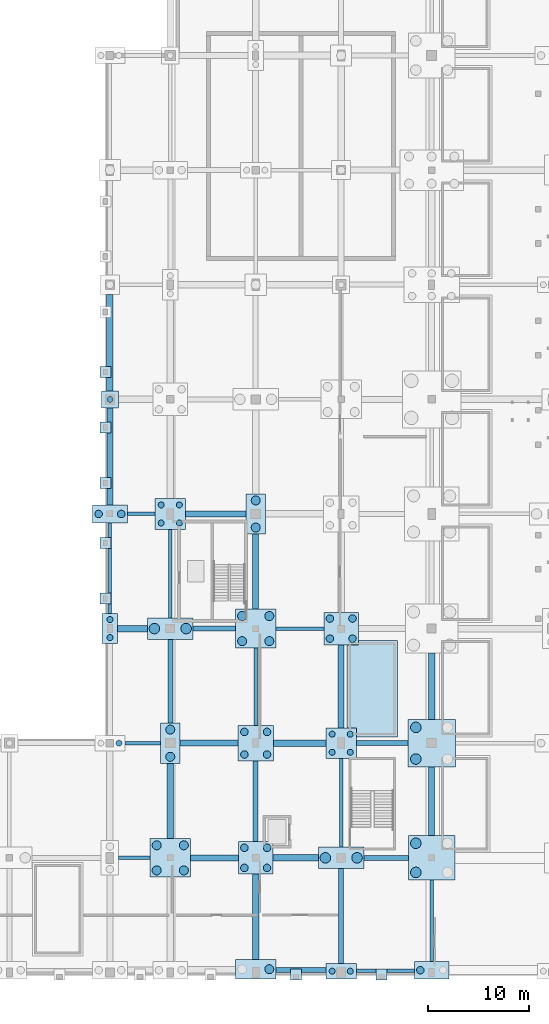
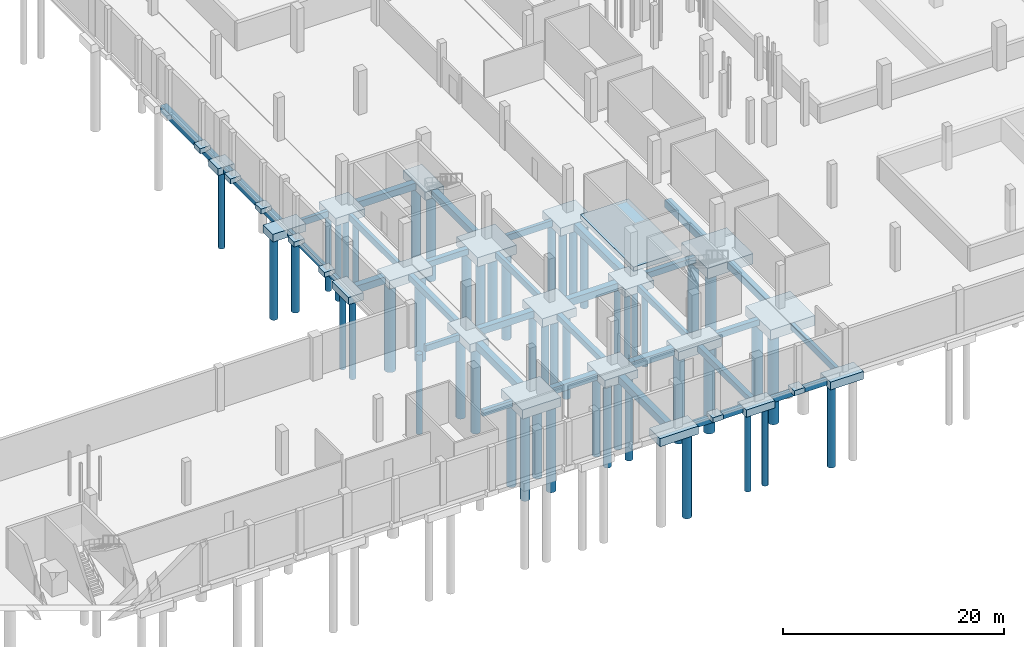
# One storey, part 4 of 34: 58 footings, 50 piles.
"""IFC4 building model written with IfcOpenShell, lengths in metres."""

from ifc_helpers import new_model, si_unit, direction, frame, origin, origin_2d, place, context, subcontext, project, spatial, rectangle, circle, extrude, material, material_profile, profile_set, type_object, element, save


model = new_model("IFC4")

# Units and contexts
model_context = context("Model", 3, precision=1e-05, world=origin(), true_north=direction((0.0, 1.0)))
body_context = subcontext(model_context, "Body", "Model", "MODEL_VIEW")
ifc_project = project(units=[si_unit("LENGTHUNIT", "METRE"), si_unit("AREAUNIT", "SQUARE_METRE"), si_unit("VOLUMEUNIT", "CUBIC_METRE"), si_unit("PLANEANGLEUNIT", "RADIAN"), si_unit("MASSUNIT", "GRAM", prefix="KILO"), si_unit("POWERUNIT", "WATT"), si_unit("THERMODYNAMICTEMPERATUREUNIT", "KELVIN")], contexts=[model_context])

# Site, building, storey
site_placement = place(None, origin())
site = spatial("IfcSite", under=ifc_project, at=site_placement, CompositionType="ELEMENT")
building_placement = place(site_placement, origin())
building = spatial("IfcBuilding", under=site, at=building_placement, Name="Kelmbourne Parkland Aquatics Centre", CompositionType="ELEMENT")
storey_placement = place(building_placement, frame((0.0, 0.0, -4.800048828125)))
storey = spatial("IfcBuildingStorey", under=building, at=storey_placement, Name="B1", CompositionType="ELEMENT", Elevation=-4.800048828125)

# Footings
ifc_material = material(Name="Waterproof concrete C50/60", Category="concrete")
footing_type_1 = type_object("IfcFootingType", Name="FT-FB1", PredefinedType="FOOTING_BEAM", material=ifc_material)
footing_1_placement = place(storey_placement, frame((115.0, 1.02490234375, -1.099853515625), z_axis=(0.0, 0.0, 1.0), x_axis=(1.0, 0.0, 0.0)))
element("IfcFooting", 1, at=footing_1_placement, inside=storey, type_object=footing_type_1, Name="Ground tie beam N-O on Grid 01", PredefinedType="FOOTING_BEAM", context=body_context, shape_type="SweptSolid", body=[
    extrude(rectangle(XDim=5.0, YDim=0.5, at=origin_2d()), origin(), (0.0, 0.0, 1.0), 0.64990234375),
])
footing_2_placement = place(storey_placement, frame((123.46240234375, 12.199951171875, -1.099853515625), z_axis=(0.0, 0.0, 1.0), x_axis=(1.0, 0.0, 0.0)))
element("IfcFooting", 2, at=footing_2_placement, inside=storey, type_object=footing_type_1, Name="Ground tie beam O-P on Grid 03", PredefinedType="FOOTING_BEAM", context=body_context, shape_type="SweptSolid", body=[
    extrude(rectangle(XDim=4.425048828125, YDim=0.5, at=origin_2d()), origin(), (0.0, 0.0, 1.0), 0.64990234375),
])
footing_3_placement = place(storey_placement, frame((123.074951171875, 23.60009765625, -1.099853515625), z_axis=(0.0, 0.0, 1.0), x_axis=(1.0, 0.0, 0.0)))
element("IfcFooting", 3, at=footing_3_placement, inside=storey, type_object=footing_type_1, Name="Ground tie beam O-P on Grid 04", PredefinedType="FOOTING_BEAM", context=body_context, shape_type="SweptSolid", body=[
    extrude(rectangle(XDim=5.10009765625, YDim=0.5, at=origin_2d()), origin(), (0.0, 0.0, 1.0), 0.64990234375),
])
footing_4_placement = place(storey_placement, frame((106.362548828125, 35.0, -1.099853515625), z_axis=(0.0, 0.0, 1.0), x_axis=(1.0, 0.0, 0.0)))
element("IfcFooting", 4, at=footing_4_placement, inside=storey, type_object=footing_type_1, Name="Ground tie beam M-N on Grid 05", PredefinedType="FOOTING_BEAM", context=body_context, shape_type="SweptSolid", body=[
    extrude(rectangle(XDim=4.22509765625, YDim=0.5, at=origin_2d()), origin(), (0.0, 0.0, 1.0), 0.64990234375),
])
footing_5_placement = place(storey_placement, frame((102.0, 29.762451171875, -1.099853515625), z_axis=(0.0, 0.0, 1.0), x_axis=(0.0, 1.0, 0.0)))
element("IfcFooting", 5, at=footing_5_placement, inside=storey, type_object=footing_type_1, Name="Ground tie beam 04-05 on Grid M", PredefinedType="FOOTING_BEAM", context=body_context, shape_type="SweptSolid", body=[
    extrude(rectangle(XDim=8.324951171875, YDim=0.5, at=origin_2d()), origin(), (0.0, 0.0, 1.0), 0.64990234375),
])
footing_6_placement = place(storey_placement, frame((110.5, 17.824951171875, -1.099853515625), z_axis=(0.0, 0.0, 1.0), x_axis=(0.0, 1.0, 0.0)))
element("IfcFooting", 6, at=footing_6_placement, inside=storey, type_object=footing_type_1, Name="Ground tie beam 03-04 on Grid N", PredefinedType="FOOTING_BEAM", context=body_context, shape_type="SweptSolid", body=[
    extrude(rectangle(XDim=8.0, YDim=0.5, at=origin_2d()), origin(), (0.0, 0.0, 1.0), 0.64990234375),
])
footing_7_placement = place(storey_placement, frame((119.0, 6.41259765625, -1.099853515625), z_axis=(0.0, 0.0, 1.0), x_axis=(0.0, 1.0, 0.0)))
element("IfcFooting", 7, at=footing_7_placement, inside=storey, type_object=footing_type_1, Name="Ground tie beam 01-03 on Grid O", PredefinedType="FOOTING_BEAM", context=body_context, shape_type="SweptSolid", body=[
    extrude(rectangle(XDim=9.425048828125, YDim=0.5, at=origin_2d()), origin(), (0.0, 0.0, 1.0), 0.64990234375),
])
footing_type_2 = type_object("IfcFootingType", Name="FT-FB2", PredefinedType="FOOTING_BEAM", material=ifc_material)
footing_8_placement = place(storey_placement, frame((123.387451171875, 0.97509765625, -1.14990234375), z_axis=(0.0, 0.0, 1.0), x_axis=(1.0, 0.0, 0.0)))
element("IfcFooting", 8, at=footing_8_placement, inside=storey, type_object=footing_type_2, Name="Ground tie beam O-P on Grid 01", PredefinedType="FOOTING_BEAM", context=body_context, shape_type="SweptSolid", body=[
    extrude(rectangle(XDim=5.77490234375, YDim=0.35009765625, at=origin_2d()), origin(), (0.0, 0.0, 1.0), 0.699951171875),
])
footing_9_placement = place(storey_placement, frame((98.425048828125, 12.199951171875, -1.14990234375), z_axis=(0.0, 0.0, 1.0), x_axis=(1.0, 0.0, 0.0)))
element("IfcFooting", 9, at=footing_9_placement, inside=storey, type_object=footing_type_2, Name="Ground tie beam L-M on Grid 03", PredefinedType="FOOTING_BEAM", context=body_context, shape_type="SweptSolid", body=[
    extrude(rectangle(XDim=3.10009765625, YDim=0.35009765625, at=origin_2d()), origin(), (0.0, 0.0, 1.0), 0.699951171875),
])
footing_10_placement = place(storey_placement, frame((99.262451171875, 23.60009765625, -1.14990234375), z_axis=(0.0, 0.0, 1.0), x_axis=(1.0, 0.0, 0.0)))
element("IfcFooting", 10, at=footing_10_placement, inside=storey, type_object=footing_type_2, Name="Ground tie beam L-M on Grid 04", PredefinedType="FOOTING_BEAM", context=body_context, shape_type="SweptSolid", body=[
    extrude(rectangle(XDim=3.52490234375, YDim=0.35009765625, at=origin_2d()), origin(), (0.0, 0.0, 1.0), 0.699951171875),
])
footing_11_placement = place(storey_placement, frame((114.89990234375, 35.0, -1.14990234375), z_axis=(0.0, 0.0, 1.0), x_axis=(1.0, 0.0, 0.0)))
element("IfcFooting", 11, at=footing_11_placement, inside=storey, type_object=footing_type_2, Name="Ground tie beam N-O on Grid 05", PredefinedType="FOOTING_BEAM", context=body_context, shape_type="SweptSolid", body=[
    extrude(rectangle(XDim=4.75, YDim=0.35009765625, at=origin_2d()), origin(), (0.0, 0.0, 1.0), 0.699951171875),
])
footing_12_placement = place(storey_placement, frame((99.10009765625, 46.39990234375, -1.14990234375), z_axis=(0.0, 0.0, 1.0), x_axis=(1.0, 0.0, 0.0)))
element("IfcFooting", 12, at=footing_12_placement, inside=storey, type_object=footing_type_2, Name="Ground tie beam L-M on Grid 06", PredefinedType="FOOTING_BEAM", context=body_context, shape_type="SweptSolid", body=[
    extrude(rectangle(XDim=2.75, YDim=0.35009765625, at=origin_2d()), origin(), (0.0, 0.0, 1.0), 0.699951171875),
])
footing_13_placement = place(storey_placement, frame((96.0, 41.012451171875, -1.14990234375), z_axis=(0.0, 0.0, 1.0), x_axis=(0.0, 1.0, 0.0)))
element("IfcFooting", 13, at=footing_13_placement, inside=storey, type_object=footing_type_2, Name="Ground tie beam 05-06 on Grid L", PredefinedType="FOOTING_BEAM", context=body_context, shape_type="SweptSolid", body=[
    extrude(rectangle(XDim=9.02490234375, YDim=0.35009765625, at=origin_2d()), origin(), (0.0, 0.0, 1.0), 0.699951171875),
])
footing_14_placement = place(storey_placement, frame((102.0, 40.47509765625, -1.14990234375), z_axis=(0.0, 0.0, 1.0), x_axis=(0.0, 1.0, 0.0)))
element("IfcFooting", 14, at=footing_14_placement, inside=storey, type_object=footing_type_2, Name="Ground tie beam 05-06 on Grid M", PredefinedType="FOOTING_BEAM", context=body_context, shape_type="SweptSolid", body=[
    extrude(rectangle(XDim=8.800048828125, YDim=0.35009765625, at=origin_2d()), origin(), (0.0, 0.0, 1.0), 0.699951171875),
])
footing_15_placement = place(storey_placement, frame((110.5, 29.22509765625, -1.14990234375), z_axis=(0.0, 0.0, 1.0), x_axis=(0.0, 1.0, 0.0)))
element("IfcFooting", 15, at=footing_15_placement, inside=storey, type_object=footing_type_2, Name="Ground tie beam 04-05 on Grid N", PredefinedType="FOOTING_BEAM", context=body_context, shape_type="SweptSolid", body=[
    extrude(rectangle(XDim=7.699951171875, YDim=0.35009765625, at=origin_2d()), origin(), (0.0, 0.0, 1.0), 0.699951171875),
])
footing_16_placement = place(storey_placement, frame((119.0, 17.675048828125, -1.14990234375), z_axis=(0.0, 0.0, 1.0), x_axis=(0.0, 1.0, 0.0)))
element("IfcFooting", 16, at=footing_16_placement, inside=storey, type_object=footing_type_2, Name="Ground tie beam 03-04 on Grid O", PredefinedType="FOOTING_BEAM", context=body_context, shape_type="SweptSolid", body=[
    extrude(rectangle(XDim=8.800048828125, YDim=0.35009765625, at=origin_2d()), origin(), (0.0, 0.0, 1.0), 0.699951171875),
])
footing_17_placement = place(storey_placement, frame((128.0, 5.9375, -1.14990234375), z_axis=(0.0, 0.0, 1.0), x_axis=(0.0, 1.0, 0.0)))
element("IfcFooting", 17, at=footing_17_placement, inside=storey, type_object=footing_type_2, Name="Ground tie beam 01-03 on Grid P", PredefinedType="FOOTING_BEAM", context=body_context, shape_type="SweptSolid", body=[
    extrude(rectangle(XDim=8.074951171875, YDim=0.35009765625, at=origin_2d()), origin(), (0.0, 0.0, 1.0), 0.699951171875),
])
footing_type_3 = type_object("IfcFootingType", Name="FT-FB3", PredefinedType="FOOTING_BEAM", material=ifc_material)
footing_18_placement = place(storey_placement, frame((106.39990234375, 12.199951171875, -1.199951171875), z_axis=(0.0, 0.0, 1.0), x_axis=(1.0, 0.0, 0.0)))
element("IfcFooting", 18, at=footing_18_placement, inside=storey, type_object=footing_type_3, Name="Ground tie beam M-N on Grid 03", PredefinedType="FOOTING_BEAM", context=body_context, shape_type="SweptSolid", body=[
    extrude(rectangle(XDim=4.75, YDim=0.60009765625, at=origin_2d()), origin(), (0.0, 0.0, 1.0), 0.75),
])
footing_19_placement = place(storey_placement, frame((105.85009765625, 23.60009765625, -1.199951171875), z_axis=(0.0, 0.0, 1.0), x_axis=(1.0, 0.0, 0.0)))
element("IfcFooting", 19, at=footing_19_placement, inside=storey, type_object=footing_type_3, Name="Ground tie beam M-N on Grid 04", PredefinedType="FOOTING_BEAM", context=body_context, shape_type="SweptSolid", body=[
    extrude(rectangle(XDim=5.75, YDim=0.60009765625, at=origin_2d()), origin(), (0.0, 0.0, 1.0), 0.75),
])
footing_20_placement = place(storey_placement, frame((106.52490234375, 46.39990234375, -1.199951171875), z_axis=(0.0, 0.0, 1.0), x_axis=(1.0, 0.0, 0.0)))
element("IfcFooting", 20, at=footing_20_placement, inside=storey, type_object=footing_type_3, Name="Ground tie beam M-N on Grid 06", PredefinedType="FOOTING_BEAM", context=body_context, shape_type="SweptSolid", body=[
    extrude(rectangle(XDim=6.0, YDim=0.60009765625, at=origin_2d()), origin(), (0.0, 0.0, 1.0), 0.75),
])
footing_21_placement = place(storey_placement, frame((96.0, 52.112548828125, -1.199951171875), z_axis=(0.0, 0.0, 1.0), x_axis=(0.0, 1.0, 0.0)))
element("IfcFooting", 21, at=footing_21_placement, inside=storey, type_object=footing_type_3, Name="Ground tie beam 06-08 on Grid L", PredefinedType="FOOTING_BEAM", context=body_context, shape_type="SweptSolid", body=[
    extrude(rectangle(XDim=9.675048828125, YDim=0.60009765625, at=origin_2d()), origin(), (0.0, 0.0, 1.0), 0.75),
])
footing_22_placement = place(storey_placement, frame((110.5, 40.66259765625, -1.199951171875), z_axis=(0.0, 0.0, 1.0), x_axis=(0.0, 1.0, 0.0)))
element("IfcFooting", 22, at=footing_22_placement, inside=storey, type_object=footing_type_3, Name="Ground tie beam 05-06 on Grid N", PredefinedType="FOOTING_BEAM", context=body_context, shape_type="SweptSolid", body=[
    extrude(rectangle(XDim=7.47509765625, YDim=0.60009765625, at=origin_2d()), origin(), (0.0, 0.0, 1.0), 0.75),
])
footing_23_placement = place(storey_placement, frame((119.0, 29.25, -1.199951171875), z_axis=(0.0, 0.0, 1.0), x_axis=(0.0, 1.0, 0.0)))
element("IfcFooting", 23, at=footing_23_placement, inside=storey, type_object=footing_type_3, Name="Ground tie beam 04-05 on Grid O", PredefinedType="FOOTING_BEAM", context=body_context, shape_type="SweptSolid", body=[
    extrude(rectangle(XDim=8.25, YDim=0.60009765625, at=origin_2d()), origin(), (0.0, 0.0, 1.0), 0.75),
])
footing_24_placement = place(storey_placement, frame((128.0, 17.824951171875, -1.199951171875), z_axis=(0.0, 0.0, 1.0), x_axis=(0.0, 1.0, 0.0)))
element("IfcFooting", 24, at=footing_24_placement, inside=storey, type_object=footing_type_3, Name="Ground tie beam 03-04 on Grid P", PredefinedType="FOOTING_BEAM", context=body_context, shape_type="SweptSolid", body=[
    extrude(rectangle(XDim=6.800048828125, YDim=0.60009765625, at=origin_2d()), origin(), (0.0, 0.0, 1.0), 0.75),
])
footing_type_4 = type_object("IfcFootingType", Name="FT-FB4", PredefinedType="FOOTING_BEAM", material=ifc_material)
footing_25_placement = place(storey_placement, frame((114.487548828125, 12.199951171875, -1.25), z_axis=(0.0, 0.0, 1.0), x_axis=(1.0, 0.0, 0.0)))
element("IfcFooting", 25, at=footing_25_placement, inside=storey, type_object=footing_type_4, Name="Ground tie beam N-O on Grid 03", PredefinedType="FOOTING_BEAM", context=body_context, shape_type="SweptSolid", body=[
    extrude(rectangle(XDim=4.52490234375, YDim=0.64990234375, at=origin_2d()), origin(), (0.0, 0.0, 1.0), 0.800048828125),
])
footing_26_placement = place(storey_placement, frame((114.875, 23.60009765625, -1.25), z_axis=(0.0, 0.0, 1.0), x_axis=(1.0, 0.0, 0.0)))
element("IfcFooting", 26, at=footing_26_placement, inside=storey, type_object=footing_type_4, Name="Ground tie beam N-O on Grid 04", PredefinedType="FOOTING_BEAM", context=body_context, shape_type="SweptSolid", body=[
    extrude(rectangle(XDim=5.199951171875, YDim=0.64990234375, at=origin_2d()), origin(), (0.0, 0.0, 1.0), 0.800048828125),
])
footing_27_placement = place(storey_placement, frame((98.262451171875, 35.0, -1.25), z_axis=(0.0, 0.0, 1.0), x_axis=(1.0, 0.0, 0.0)))
element("IfcFooting", 27, at=footing_27_placement, inside=storey, type_object=footing_type_4, Name="Ground tie beam L-M on Grid 05", PredefinedType="FOOTING_BEAM", context=body_context, shape_type="SweptSolid", body=[
    extrude(rectangle(XDim=2.97509765625, YDim=0.64990234375, at=origin_2d()), origin(), (0.0, 0.0, 1.0), 0.800048828125),
])
footing_28_placement = place(storey_placement, frame((96.0, 63.449951171875, -1.25), z_axis=(0.0, 0.0, 1.0), x_axis=(0.0, 1.0, 0.0)))
element("IfcFooting", 28, at=footing_28_placement, inside=storey, type_object=footing_type_4, Name="Ground tie beam 08-10 on Grid L", PredefinedType="FOOTING_BEAM", context=body_context, shape_type="SweptSolid", body=[
    extrude(rectangle(XDim=9.60009765625, YDim=0.64990234375, at=origin_2d()), origin(), (0.0, 0.0, 1.0), 0.800048828125),
])
footing_29_placement = place(storey_placement, frame((102.0, 17.862548828125, -1.25), z_axis=(0.0, 0.0, 1.0), x_axis=(0.0, 1.0, 0.0)))
element("IfcFooting", 29, at=footing_29_placement, inside=storey, type_object=footing_type_4, Name="Ground tie beam 03-04 on Grid M", PredefinedType="FOOTING_BEAM", context=body_context, shape_type="SweptSolid", body=[
    extrude(rectangle(XDim=7.47509765625, YDim=0.64990234375, at=origin_2d()), origin(), (0.0, 0.0, 1.0), 0.800048828125),
])
footing_30_placement = place(storey_placement, frame((110.5, 6.33740234375, -1.25), z_axis=(0.0, 0.0, 1.0), x_axis=(0.0, 1.0, 0.0)))
element("IfcFooting", 30, at=footing_30_placement, inside=storey, type_object=footing_type_4, Name="Ground tie beam 01-03 on Grid N", PredefinedType="FOOTING_BEAM", context=body_context, shape_type="SweptSolid", body=[
    extrude(rectangle(XDim=8.47509765625, YDim=0.64990234375, at=origin_2d()), origin(), (0.0, 0.0, 1.0), 0.800048828125),
])
footing_31_placement = place(storey_placement, frame((128.0, 29.262451171875, -1.25), z_axis=(0.0, 0.0, 1.0), x_axis=(0.0, 1.0, 0.0)))
element("IfcFooting", 31, at=footing_31_placement, inside=storey, type_object=footing_type_4, Name="Ground tie beam 04-05 on Grid P", PredefinedType="FOOTING_BEAM", context=body_context, shape_type="SweptSolid", body=[
    extrude(rectangle(XDim=6.574951171875, YDim=0.64990234375, at=origin_2d()), origin(), (0.0, 0.0, 1.0), 0.800048828125),
])
footing_type_5 = type_object("IfcFootingType", Name="FT-PC01", PredefinedType="PILE_CAP", material=ifc_material)
footing_32_placement = place(storey_placement, frame((96.0, 57.800048828125, -1.199951171875), z_axis=(0.0, 0.0, 1.0), x_axis=(1.0, 0.0, 0.0)))
element("IfcFooting", 32, at=footing_32_placement, inside=storey, type_object=footing_type_5, Name="Bored pile cap PC-L-08", PredefinedType="PILE_CAP", context=body_context, shape_type="SweptSolid", body=[
    extrude(rectangle(XDim=1.699951171875, YDim=1.699951171875, at=origin_2d()), origin(), (0.0, 0.0, 1.0), 0.75),
])
footing_type_6 = type_object("IfcFootingType", Name="FT-PC04", PredefinedType="PILE_CAP", material=ifc_material)
footing_33_placement = place(storey_placement, frame((119.0, 0.925048828125, -1.25), z_axis=(0.0, 0.0, 1.0), x_axis=(1.0, 0.0, 0.0)))
element("IfcFooting", 33, at=footing_33_placement, inside=storey, type_object=footing_type_6, Name="Bored pile cap PC-O-01", PredefinedType="PILE_CAP", context=body_context, shape_type="SweptSolid", body=[
    extrude(rectangle(XDim=3.0, YDim=1.550048828125, at=origin_2d()), origin(), (0.0, 0.0, 1.0), 0.800048828125),
])
footing_type_7 = type_object("IfcFootingType", Name="FT-PC05", PredefinedType="PILE_CAP", material=ifc_material)
footing_34_placement = place(storey_placement, frame((96.0, 35.0, -1.25), z_axis=(0.0, 0.0, 1.0), x_axis=(1.0, 0.0, 0.0)))
element("IfcFooting", 34, at=footing_34_placement, inside=storey, type_object=footing_type_7, Name="Bored pile cap PC-L-05", PredefinedType="PILE_CAP", context=body_context, shape_type="SweptSolid", body=[
    extrude(rectangle(XDim=1.550048828125, YDim=3.0, at=origin_2d()), origin(), (0.0, 0.0, 1.0), 0.800048828125),
])
footing_type_8 = type_object("IfcFootingType", Name="FT-PC06", PredefinedType="PILE_CAP", material=ifc_material)
for number, where, z_axis, x_axis, name in (
    (35, (96.0, 46.39990234375, -1.300048828125), (0.0, 0.0, 1.0), (1.0, 0.0, 0.0), "Bored pile cap PC-L-06"),
    (36, (128.0, 1.02490234375, -1.300048828125), (0.0, 0.0, 1.0), (1.0, 0.0, 0.0), "Bored pile cap PC-P-01"),
):
    element("IfcFooting", number, at=place(storey_placement, frame(where, z_axis=z_axis, x_axis=x_axis)), inside=storey, type_object=footing_type_8, Name=name, PredefinedType="PILE_CAP", context=body_context, shape_type="SweptSolid", body=[
        extrude(rectangle(XDim=3.449951171875, YDim=1.75, at=origin_2d()), origin(), (0.0, 0.0, 1.0), 0.85009765625),
    ])
footing_type_9 = type_object("IfcFootingType", Name="FT-PC08", PredefinedType="PILE_CAP", material=ifc_material)
footing_35_placement = place(storey_placement, frame((110.5, 1.125, -1.349853515625), z_axis=(0.0, 0.0, 1.0), x_axis=(1.0, 0.0, 0.0)))
element("IfcFooting", 37, at=footing_35_placement, inside=storey, type_object=footing_type_9, Name="Bored pile cap PC-N-01", PredefinedType="PILE_CAP", context=body_context, shape_type="SweptSolid", body=[
    extrude(rectangle(XDim=4.0, YDim=1.949951171875, at=origin_2d()), origin(), (0.0, 0.0, 1.0), 0.89990234375),
])
footing_type_10 = type_object("IfcFootingType", Name="FT-PC09", PredefinedType="PILE_CAP", material=ifc_material)
for number, where, z_axis, x_axis, name in (
    (38, (102.0, 23.60009765625, -1.349853515625), (0.0, 0.0, 1.0), (1.0, 0.0, 0.0), "Bored pile cap PC-M-04"),
    (39, (110.5, 46.39990234375, -1.349853515625), (0.0, 0.0, 1.0), (1.0, 0.0, 0.0), "Bored pile cap PC-N-06"),
):
    element("IfcFooting", number, at=place(storey_placement, frame(where, z_axis=z_axis, x_axis=x_axis)), inside=storey, type_object=footing_type_10, Name=name, PredefinedType="PILE_CAP", context=body_context, shape_type="SweptSolid", body=[
        extrude(rectangle(XDim=1.949951171875, YDim=4.0, at=origin_2d()), origin(), (0.0, 0.0, 1.0), 0.89990234375),
    ])
footing_type_11 = type_object("IfcFootingType", Name="FT-PC10", PredefinedType="PILE_CAP", material=ifc_material)
for number, where, z_axis, x_axis, name in (
    (40, (102.0, 35.0, -1.39990234375), (0.0, 0.0, 1.0), (1.0, 0.0, 0.0), "Bored pile cap PC-M-05"),
    (41, (119.0, 12.199951171875, -1.39990234375), (0.0, 0.0, 1.0), (1.0, 0.0, 0.0), "Bored pile cap PC-O-03"),
):
    element("IfcFooting", number, at=place(storey_placement, frame(where, z_axis=z_axis, x_axis=x_axis)), inside=storey, type_object=footing_type_11, Name=name, PredefinedType="PILE_CAP", context=body_context, shape_type="SweptSolid", body=[
        extrude(rectangle(XDim=4.5, YDim=2.14990234375, at=origin_2d()), origin(), (0.0, 0.0, 1.0), 0.949951171875),
    ])
footing_type_12 = type_object("IfcFootingType", Name="FT-PC11", PredefinedType="PILE_CAP", material=ifc_material)
for number, where, z_axis, x_axis, name in (
    (42, (102.0, 46.39990234375, -1.300048828125), (0.0, 0.0, 1.0), (1.0, 0.0, 0.0), "Bored pile cap PC-M-06"),
    (43, (119.0, 23.60009765625, -1.300048828125), (0.0, 0.0, 1.0), (1.0, 0.0, 0.0), "Bored pile cap PC-O-04"),
):
    element("IfcFooting", number, at=place(storey_placement, frame(where, z_axis=z_axis, x_axis=x_axis)), inside=storey, type_object=footing_type_12, Name=name, PredefinedType="PILE_CAP", context=body_context, shape_type="SweptSolid", body=[
        extrude(rectangle(XDim=3.050048828125, YDim=3.050048828125, at=origin_2d()), origin(), (0.0, 0.0, 1.0), 0.85009765625),
    ])
footing_type_13 = type_object("IfcFootingType", Name="FT-PC12", PredefinedType="PILE_CAP", material=ifc_material)
for number, where, z_axis, x_axis, name in (
    (44, (110.5, 12.199951171875, -1.349853515625), (0.0, 0.0, 1.0), (1.0, 0.0, 0.0), "Bored pile cap PC-N-03"),
    (45, (119.0, 35.0, -1.349853515625), (0.0, 0.0, 1.0), (1.0, 0.0, 0.0), "Bored pile cap PC-O-05"),
):
    element("IfcFooting", number, at=place(storey_placement, frame(where, z_axis=z_axis, x_axis=x_axis)), inside=storey, type_object=footing_type_13, Name=name, PredefinedType="PILE_CAP", context=body_context, shape_type="SweptSolid", body=[
        extrude(rectangle(XDim=3.449951171875, YDim=3.25, at=origin_2d()), origin(), (0.0, 0.0, 1.0), 0.89990234375),
    ])
footing_type_14 = type_object("IfcFootingType", Name="FT-PC13", PredefinedType="PILE_CAP", material=ifc_material)
footing_36_placement = place(storey_placement, frame((110.5, 23.60009765625, -1.39990234375), z_axis=(0.0, 0.0, 1.0), x_axis=(1.0, 0.0, 0.0)))
element("IfcFooting", 46, at=footing_36_placement, inside=storey, type_object=footing_type_14, Name="Bored pile cap PC-N-04", PredefinedType="PILE_CAP", context=body_context, shape_type="SweptSolid", body=[
    extrude(rectangle(XDim=3.550048828125, YDim=3.550048828125, at=origin_2d()), origin(), (0.0, 0.0, 1.0), 0.949951171875),
])
footing_type_15 = type_object("IfcFootingType", Name="FT-PC14", PredefinedType="PILE_CAP", material=ifc_material)
for number, where, z_axis, x_axis, name in (
    (47, (102.0, 12.199951171875, -1.449951171875), (0.0, 0.0, 1.0), (1.0, 0.0, 0.0), "Bored pile cap PC-M-03"),
    (48, (110.5, 35.0, -1.449951171875), (0.0, 0.0, 1.0), (1.0, 0.0, 0.0), "Bored pile cap PC-N-05"),
):
    element("IfcFooting", number, at=place(storey_placement, frame(where, z_axis=z_axis, x_axis=x_axis)), inside=storey, type_object=footing_type_15, Name=name, PredefinedType="PILE_CAP", context=body_context, shape_type="SweptSolid", body=[
        extrude(rectangle(XDim=4.050048828125, YDim=3.85009765625, at=origin_2d()), origin(), (0.0, 0.0, 1.0), 1.0),
    ])
footing_type_16 = type_object("IfcFootingType", Name="FT-PC16", PredefinedType="PILE_CAP", material=ifc_material)
footing_37_placement = place(storey_placement, frame((128.0, 12.199951171875, -1.550048828125), z_axis=(0.0, 0.0, 1.0), x_axis=(1.0, 0.0, 0.0)))
element("IfcFooting", 49, at=footing_37_placement, inside=storey, type_object=footing_type_16, Name="Bored pile cap PC-P-03", PredefinedType="PILE_CAP", context=body_context, shape_type="SweptSolid", body=[
    extrude(rectangle(XDim=4.64990234375, YDim=4.449951171875, at=origin_2d()), origin(), (0.0, 0.0, 1.0), 1.10009765625),
])
footing_type_17 = type_object("IfcFootingType", Name="FT-PC17", PredefinedType="PILE_CAP", material=ifc_material)
footing_38_placement = place(storey_placement, frame((128.0, 23.60009765625, -1.599853515625), z_axis=(0.0, 0.0, 1.0), x_axis=(1.0, 0.0, 0.0)))
element("IfcFooting", 50, at=footing_38_placement, inside=storey, type_object=footing_type_17, Name="Bored pile cap PC-P-04", PredefinedType="PILE_CAP", context=body_context, shape_type="SweptSolid", body=[
    extrude(rectangle(XDim=4.75, YDim=4.75, at=origin_2d()), origin(), (0.0, 0.0, 1.0), 1.14990234375),
])
footing_type_18 = type_object("IfcFootingType", Name="FT-SF1", PredefinedType="STRIP_FOOTING", material=ifc_material)
for number, where, z_axis, x_axis, name in (
    (51, (114.5, 0.60009765625, -0.5498046875), (0.0, 0.0, 1.0), (1.0, 0.0, 0.0), "Brick buttress footing S-032"),
    (52, (123.0, 0.60009765625, -0.5498046875), (0.0, 0.0, 1.0), (1.0, 0.0, 0.0), "Brick buttress footing S-033"),
    (53, (95.550048828125, 38.0, -0.5498046875), (0.0, 0.0, 1.0), (1.0, 0.0, 0.0), "Brick buttress footing CE-042"),
    (54, (95.550048828125, 43.5, -0.5498046875), (0.0, 0.0, 1.0), (1.0, 0.0, 0.0), "Brick buttress footing CE-043"),
    (55, (95.550048828125, 49.5, -0.5498046875), (0.0, 0.0, 1.0), (1.0, 0.0, 0.0), "Brick buttress footing CE-044"),
    (56, (95.550048828125, 55.0, -0.5498046875), (0.0, 0.0, 1.0), (1.0, 0.0, 0.0), "Brick buttress footing CE-045"),
    (57, (95.550048828125, 60.5, -0.5498046875), (0.0, 0.0, 1.0), (1.0, 0.0, 0.0), "Brick buttress footing CE-046"),
):
    element("IfcFooting", number, at=place(storey_placement, frame(where, z_axis=z_axis, x_axis=x_axis)), inside=storey, type_object=footing_type_18, Name=name, PredefinedType="STRIP_FOOTING", context=body_context, shape_type="SweptSolid", body=[
        extrude(rectangle(XDim=1.10009765625, YDim=1.10009765625, at=origin_2d()), origin(), (0.0, 0.0, 1.0), 0.550048828125),
    ])
footing_39_placement = place(storey_placement, frame((122.10009765625, 29.0, -0.5), z_axis=(0.0, 0.0, 1.0), x_axis=(1.0, 0.0, 0.0)))
element("IfcFooting", 58, at=footing_39_placement, inside=storey, type_object=footing_type_18, Name="East Club Terrace Exit Stair foundation pad", PredefinedType="STRIP_FOOTING", context=body_context, shape_type="SweptSolid", body=[
    extrude(rectangle(XDim=5.0, YDim=9.60009765625, at=origin_2d()), origin(), (0.0, 0.0, 1.0), 0.5),
])

# Piles
ifc_material_profile_1 = material_profile(ifc_material, circle(Radius=0.52490234375, at=origin_2d()), Name="PILE D1050")
ifc_profile_set_1 = profile_set([ifc_material_profile_1], Name="Waterproof concrete C50/60")
pile_type_1 = type_object("IfcPileType", Name="PL-1050", PredefinedType="BORED", material=ifc_profile_set_1)
for number, where, z_axis, x_axis, name in (
    (59, (100.425048828125, 35.0, -1.300048828125), (0.0, 0.0, -1.0), (1.0, 0.0, 0.0), "Rock-socketed bored pile M-05-1"),
    (60, (103.574951171875, 35.0, -1.300048828125), (0.0, 0.0, -1.0), (1.0, 0.0, 0.0), "Rock-socketed bored pile M-05-2"),
    (61, (117.425048828125, 12.199951171875, -1.300048828125), (0.0, 0.0, -1.0), (1.0, 0.0, 0.0), "Rock-socketed bored pile O-03-1"),
    (62, (120.574951171875, 12.199951171875, -1.300048828125), (0.0, 0.0, -1.0), (1.0, 0.0, 0.0), "Rock-socketed bored pile O-03-2"),
    (63, (126.425048828125, 10.75, -1.449951171875), (0.0, 0.0, -1.0), (1.0, 0.0, 0.0), "Rock-socketed bored pile P-03-1"),
    (64, (126.425048828125, 13.64990234375, -1.449951171875), (0.0, 0.0, -1.0), (1.0, 0.0, 0.0), "Rock-socketed bored pile P-03-3"),
    (65, (126.425048828125, 22.02490234375, -1.5), (0.0, 0.0, -1.0), (1.0, 0.0, 0.0), "Rock-socketed bored pile P-04-1"),
    (66, (126.425048828125, 25.175048828125, -1.5), (0.0, 0.0, -1.0), (1.0, 0.0, 0.0), "Rock-socketed bored pile P-04-3"),
):
    element("IfcPile", number, at=place(storey_placement, frame(where, z_axis=z_axis, x_axis=x_axis)), inside=storey, type_object=pile_type_1, Name=name, PredefinedType="BORED", context=body_context, shape_type="SweptSolid", body=[
        extrude(circle(Radius=0.52490234375, at=origin_2d()), origin(), (0.0, 0.0, 1.0), 9.800048828125),
    ])
ifc_material_profile_2 = material_profile(ifc_material, circle(Radius=0.300048828125, at=origin_2d()), Name="PILE D600")
ifc_profile_set_2 = profile_set([ifc_material_profile_2], Name="Waterproof concrete C50/60")
pile_type_2 = type_object("IfcPileType", Name="PL-600", PredefinedType="BORED", material=ifc_profile_set_2)
for number, where, z_axis, x_axis, name in (
    (67, (96.89990234375, 23.60009765625, -1.14990234375), (0.0, 0.0, -1.0), (1.0, 0.0, 0.0), "Rock-socketed bored pile L-04-2"),
    (68, (96.0, 34.10009765625, -1.14990234375), (0.0, 0.0, -1.0), (1.0, 0.0, 0.0), "Rock-socketed bored pile L-05-1"),
    (69, (96.0, 35.89990234375, -1.14990234375), (0.0, 0.0, -1.0), (1.0, 0.0, 0.0), "Rock-socketed bored pile L-05-2"),
    (70, (96.0, 57.800048828125, -1.099853515625), (0.0, 0.0, -1.0), (1.0, 0.0, 0.0), "Rock-socketed bored pile L-08-1"),
    (71, (101.10009765625, 45.5, -1.199951171875), (0.0, 0.0, -1.0), (1.0, 0.0, 0.0), "Rock-socketed bored pile M-06-1"),
    (72, (102.89990234375, 45.5, -1.199951171875), (0.0, 0.0, -1.0), (1.0, 0.0, 0.0), "Rock-socketed bored pile M-06-2"),
    (73, (101.10009765625, 47.300048828125, -1.199951171875), (0.0, 0.0, -1.0), (1.0, 0.0, 0.0), "Rock-socketed bored pile M-06-3"),
    (74, (102.89990234375, 47.300048828125, -1.199951171875), (0.0, 0.0, -1.0), (1.0, 0.0, 0.0), "Rock-socketed bored pile M-06-4"),
    (75, (118.10009765625, 0.925048828125, -1.14990234375), (0.0, 0.0, -1.0), (1.0, 0.0, 0.0), "Rock-socketed bored pile O-01-1"),
    (76, (119.89990234375, 0.925048828125, -1.14990234375), (0.0, 0.0, -1.0), (1.0, 0.0, 0.0), "Rock-socketed bored pile O-01-2"),
    (77, (118.10009765625, 22.699951171875, -1.199951171875), (0.0, 0.0, -1.0), (1.0, 0.0, 0.0), "Rock-socketed bored pile O-04-1"),
    (78, (119.89990234375, 22.699951171875, -1.199951171875), (0.0, 0.0, -1.0), (1.0, 0.0, 0.0), "Rock-socketed bored pile O-04-2"),
    (79, (118.10009765625, 24.5, -1.199951171875), (0.0, 0.0, -1.0), (1.0, 0.0, 0.0), "Rock-socketed bored pile O-04-3"),
    (80, (119.89990234375, 24.5, -1.199951171875), (0.0, 0.0, -1.0), (1.0, 0.0, 0.0), "Rock-socketed bored pile O-04-4"),
):
    element("IfcPile", number, at=place(storey_placement, frame(where, z_axis=z_axis, x_axis=x_axis)), inside=storey, type_object=pile_type_2, Name=name, PredefinedType="BORED", context=body_context, shape_type="SweptSolid", body=[
        extrude(circle(Radius=0.300048828125, at=origin_2d()), origin(), (0.0, 0.0, 1.0), 8.800048828125),
    ])
ifc_material_profile_3 = material_profile(ifc_material, circle(Radius=0.375, at=origin_2d()), Name="PILE D750")
ifc_profile_set_3 = profile_set([ifc_material_profile_3], Name="Waterproof concrete C50/60")
pile_type_3 = type_object("IfcPileType", Name="PL-750", PredefinedType="BORED", material=ifc_profile_set_3)
for number, where, z_axis, x_axis, name in (
    (81, (94.875, 46.39990234375, -1.199951171875), (0.0, 0.0, -1.0), (1.0, 0.0, 0.0), "Rock-socketed bored pile L-06-1"),
    (82, (97.125, 46.39990234375, -1.199951171875), (0.0, 0.0, -1.0), (1.0, 0.0, 0.0), "Rock-socketed bored pile L-06-2"),
    (83, (109.375, 11.199951171875, -1.25), (0.0, 0.0, -1.0), (1.0, 0.0, 0.0), "Rock-socketed bored pile N-03-1"),
    (84, (111.625, 11.199951171875, -1.25), (0.0, 0.0, -1.0), (1.0, 0.0, 0.0), "Rock-socketed bored pile N-03-2"),
    (85, (109.375, 13.199951171875, -1.25), (0.0, 0.0, -1.0), (1.0, 0.0, 0.0), "Rock-socketed bored pile N-03-3"),
    (86, (111.625, 13.199951171875, -1.25), (0.0, 0.0, -1.0), (1.0, 0.0, 0.0), "Rock-socketed bored pile N-03-4"),
    (87, (109.375, 22.47509765625, -1.300048828125), (0.0, 0.0, -1.0), (1.0, 0.0, 0.0), "Rock-socketed bored pile N-04-1"),
    (88, (111.625, 22.47509765625, -1.300048828125), (0.0, 0.0, -1.0), (1.0, 0.0, 0.0), "Rock-socketed bored pile N-04-2"),
    (89, (109.375, 24.72509765625, -1.300048828125), (0.0, 0.0, -1.0), (1.0, 0.0, 0.0), "Rock-socketed bored pile N-04-3"),
    (90, (111.625, 24.72509765625, -1.300048828125), (0.0, 0.0, -1.0), (1.0, 0.0, 0.0), "Rock-socketed bored pile N-04-4"),
    (91, (117.875, 34.0, -1.25), (0.0, 0.0, -1.0), (1.0, 0.0, 0.0), "Rock-socketed bored pile O-05-1"),
    (92, (120.125, 34.0, -1.25), (0.0, 0.0, -1.0), (1.0, 0.0, 0.0), "Rock-socketed bored pile O-05-2"),
    (93, (117.875, 36.0, -1.25), (0.0, 0.0, -1.0), (1.0, 0.0, 0.0), "Rock-socketed bored pile O-05-3"),
    (94, (120.125, 36.0, -1.25), (0.0, 0.0, -1.0), (1.0, 0.0, 0.0), "Rock-socketed bored pile O-05-4"),
    (95, (126.875, 1.02490234375, -1.199951171875), (0.0, 0.0, -1.0), (1.0, 0.0, 0.0), "Rock-socketed bored pile P-01-1"),
):
    element("IfcPile", number, at=place(storey_placement, frame(where, z_axis=z_axis, x_axis=x_axis)), inside=storey, type_object=pile_type_3, Name=name, PredefinedType="BORED", context=body_context, shape_type="SweptSolid", body=[
        extrude(circle(Radius=0.375, at=origin_2d()), origin(), (0.0, 0.0, 1.0), 9.199951171875),
    ])
ifc_material_profile_4 = material_profile(ifc_material, circle(Radius=0.449951171875, at=origin_2d()), Name="PILE D900")
ifc_profile_set_4 = profile_set([ifc_material_profile_4], Name="Waterproof concrete C50/60")
pile_type_4 = type_object("IfcPileType", Name="PL-900", PredefinedType="BORED", material=ifc_profile_set_4)
for number, where, z_axis, x_axis, name in (
    (96, (100.64990234375, 10.949951171875, -1.349853515625), (0.0, 0.0, -1.0), (1.0, 0.0, 0.0), "Rock-socketed bored pile M-03-1"),
    (97, (103.35009765625, 10.949951171875, -1.349853515625), (0.0, 0.0, -1.0), (1.0, 0.0, 0.0), "Rock-socketed bored pile M-03-2"),
    (98, (100.64990234375, 13.449951171875, -1.349853515625), (0.0, 0.0, -1.0), (1.0, 0.0, 0.0), "Rock-socketed bored pile M-03-3"),
    (99, (103.35009765625, 13.449951171875, -1.349853515625), (0.0, 0.0, -1.0), (1.0, 0.0, 0.0), "Rock-socketed bored pile M-03-4"),
    (100, (102.0, 22.25, -1.25), (0.0, 0.0, -1.0), (1.0, 0.0, 0.0), "Rock-socketed bored pile M-04-1"),
    (101, (102.0, 24.949951171875, -1.25), (0.0, 0.0, -1.0), (1.0, 0.0, 0.0), "Rock-socketed bored pile M-04-2"),
    (102, (111.85009765625, 1.125, -1.25), (0.0, 0.0, -1.0), (1.0, 0.0, 0.0), "Rock-socketed bored pile N-01-2"),
    (103, (109.14990234375, 33.75, -1.349853515625), (0.0, 0.0, -1.0), (1.0, 0.0, 0.0), "Rock-socketed bored pile N-05-1"),
    (104, (111.85009765625, 33.75, -1.349853515625), (0.0, 0.0, -1.0), (1.0, 0.0, 0.0), "Rock-socketed bored pile N-05-2"),
    (105, (109.14990234375, 36.25, -1.349853515625), (0.0, 0.0, -1.0), (1.0, 0.0, 0.0), "Rock-socketed bored pile N-05-3"),
    (106, (111.85009765625, 36.25, -1.349853515625), (0.0, 0.0, -1.0), (1.0, 0.0, 0.0), "Rock-socketed bored pile N-05-4"),
    (107, (110.5, 45.050048828125, -1.25), (0.0, 0.0, -1.0), (1.0, 0.0, 0.0), "Rock-socketed bored pile N-06-1"),
    (108, (110.5, 47.75, -1.25), (0.0, 0.0, -1.0), (1.0, 0.0, 0.0), "Rock-socketed bored pile N-06-2"),
):
    element("IfcPile", number, at=place(storey_placement, frame(where, z_axis=z_axis, x_axis=x_axis)), inside=storey, type_object=pile_type_4, Name=name, PredefinedType="BORED", context=body_context, shape_type="SweptSolid", body=[
        extrude(circle(Radius=0.449951171875, at=origin_2d()), origin(), (0.0, 0.0, 1.0), 9.5),
    ])

save(model, "model.ifc")
